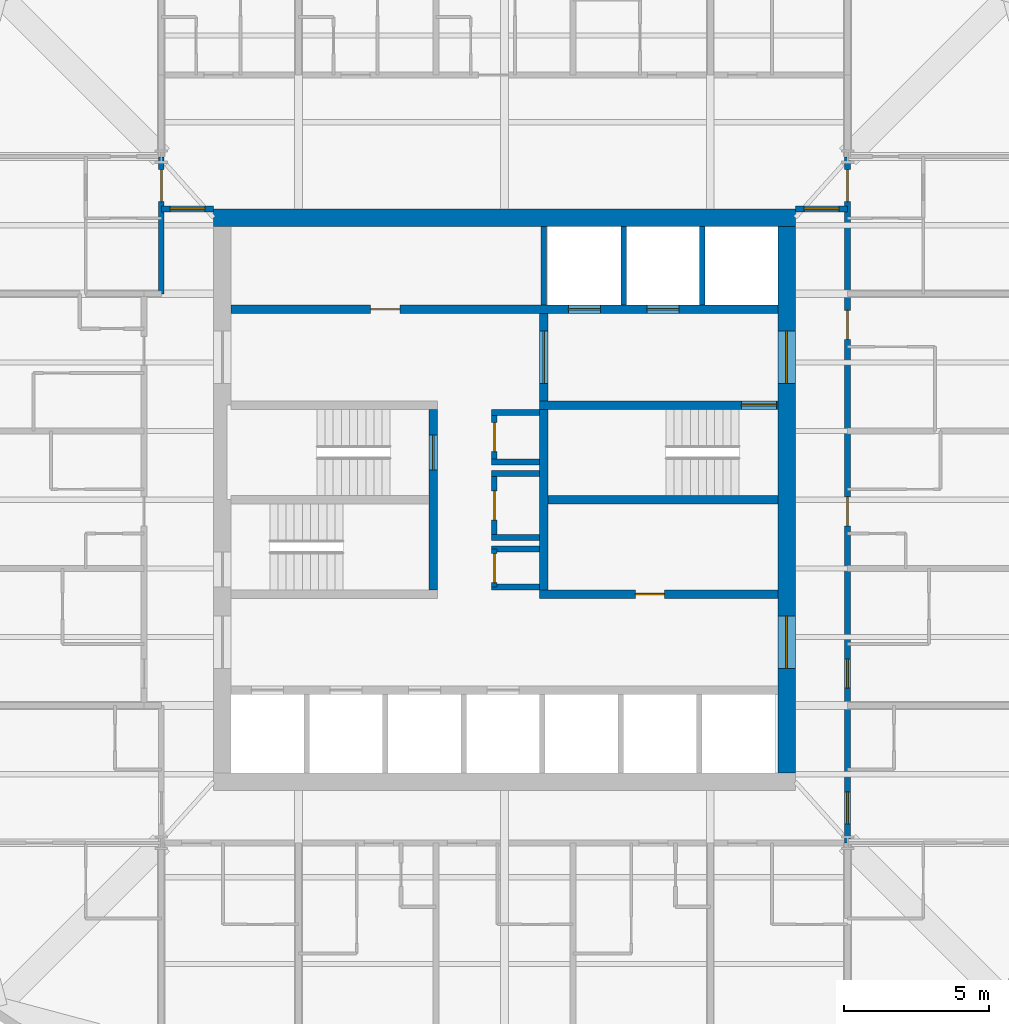
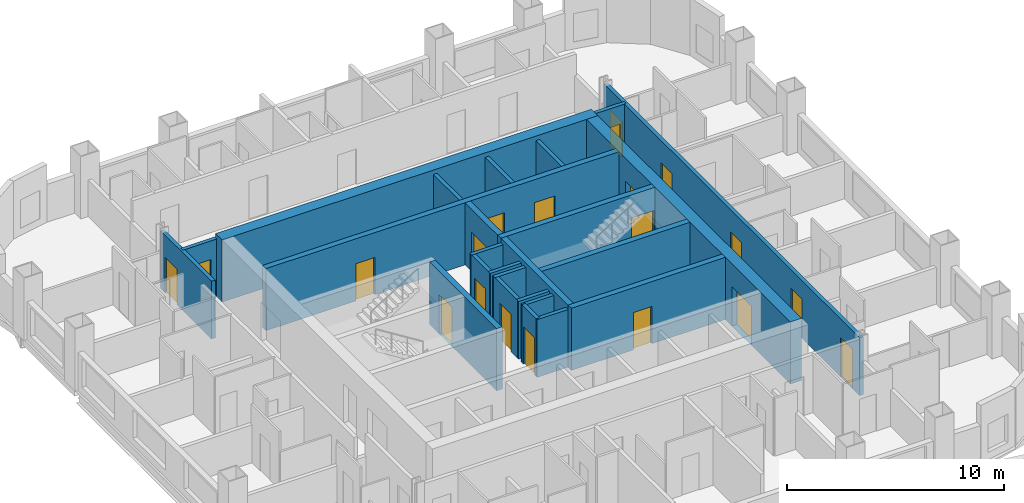
# One storey, part 5 of 9: 24 walls, 20 doors, 20 openings.
"""IFC4 building model written with IfcOpenShell, lengths in metres."""

from ifc_helpers import new_model, si_unit, direction, frame, frame_2d, origin, place, context, subcontext, project, spatial, rectangle, extrude, material, layer, layer_set, type_object, element, fill, save


model = new_model("IFC4")

# Units and contexts
model_context = context("Model", 3, precision=1e-05, world=origin(), true_north=direction((0.0, 1.0)))
body_context = subcontext(model_context, "Body", "Model", "MODEL_VIEW")
ifc_project = project(units=[si_unit("LENGTHUNIT", "METRE"), si_unit("AREAUNIT", "SQUARE_METRE"), si_unit("VOLUMEUNIT", "CUBIC_METRE"), si_unit("PLANEANGLEUNIT", "RADIAN"), si_unit("MASSUNIT", "GRAM", prefix="KILO")], contexts=[model_context])

# Site, building, storey
site_placement = place(None, origin())
site = spatial("IfcSite", under=ifc_project, at=site_placement, CompositionType="ELEMENT")
building_placement = place(site_placement, origin())
building = spatial("IfcBuilding", under=site, at=building_placement, Name="Turquesa Mirador Hotel Tower", CompositionType="ELEMENT")
storey_placement = place(building_placement, frame((0.0, 0.0, 217.800048828125)))
storey = spatial("IfcBuildingStorey", under=building, at=storey_placement, Name="L59", CompositionType="ELEMENT", Elevation=217.800048828125)

# Wall, openings, doors
ifc_material_1 = material(Name="Concrete C50/60", Category="concrete")
ifc_layer_1 = layer(ifc_material_1, 0.300048828125)
ifc_layer_set_1 = layer_set([ifc_layer_1], Name="CORE INNER WALL 300")
wall_type_1 = type_object("IfcWallType", Name="CORE INNER WALL 300", PredefinedType="SHEAR", material=ifc_layer_set_1)
wall_1_placement = place(storey_placement, frame((45.60009765625, 51.550048828125, 0.0), z_axis=(0.0, 0.0, 1.0), x_axis=(1.0, 0.0, 0.0)))
wall_1 = element("IfcWall", 1, at=wall_1_placement, inside=storey, type_object=wall_type_1, Name="Core wall NL", PredefinedType="SHEAR", context=body_context, shape_type="SweptSolid", body=[
    extrude(rectangle(XDim=18.7998046875, YDim=0.300048828125, at=frame_2d((9.39990234375, 0.0))), origin(), (0.0, 0.0, 1.0), 3.5),
])
opening_1_placement = place(wall_1_placement, frame((4.800048828125, 0.0, 0.0)))
opening_1 = element("IfcOpeningElement", 2, at=opening_1_placement, cuts=wall_1, Name="Opening D05", PredefinedType="OPENING", context=body_context, shape_type="SweptSolid", body=[
    extrude(rectangle(XDim=1.0, YDim=2.10009765625, at=frame_2d((0.5, 1.050048828125))), frame((0.0, 0.159912109375, 0.0), z_axis=(0.0, -1.0, 0.0), x_axis=(1.0, 0.0, 0.0)), (0.0, 0.0, 1.0), 0.320068359375),
])
opening_2_placement = place(wall_1_placement, frame((11.60009765625, 0.0, 0.0)))
opening_2 = element("IfcOpeningElement", 3, at=opening_2_placement, cuts=wall_1, Name="Opening LD", PredefinedType="OPENING", context=body_context, shape_type="SweptSolid", body=[
    extrude(rectangle(XDim=1.10009765625, YDim=2.199951171875, at=frame_2d((0.550048828125, 1.10009765625))), frame((0.0, 0.159912109375, 0.0), z_axis=(0.0, -1.0, 0.0), x_axis=(1.0, 0.0, 0.0)), (0.0, 0.0, 1.0), 0.320068359375),
])
opening_3_placement = place(wall_1_placement, frame((14.300048828125, 0.0, 0.0)))
opening_3 = element("IfcOpeningElement", 4, at=opening_3_placement, cuts=wall_1, Name="Opening LD", PredefinedType="OPENING", context=body_context, shape_type="SweptSolid", body=[
    extrude(rectangle(XDim=1.10009765625, YDim=2.199951171875, at=frame_2d((0.550048828125, 1.10009765625))), frame((0.0, 0.159912109375, 0.0), z_axis=(0.0, -1.0, 0.0), x_axis=(1.0, 0.0, 0.0)), (0.0, 0.0, 1.0), 0.320068359375),
])
ifc_material_2 = material(Name="Steel fire door", Category="steel")
door_type_1 = type_object("IfcDoorType", Name="DOOR 1000X2100 SERVICE", OperationType="SINGLE_SWING_LEFT", PredefinedType="DOOR", material=ifc_material_2)
door_1_placement = place(opening_1_placement, origin())
door_1 = element("IfcDoor", 5, at=door_1_placement, inside=storey, type_object=door_type_1, Name="Linen store door", OperationType="SINGLE_SWING_LEFT", OverallHeight=2.10009765625, OverallWidth=1.0, PredefinedType="DOOR", context=body_context, shape_type="SweptSolid", body=[
    extrude(rectangle(XDim=1.0, YDim=2.10009765625, at=frame_2d((0.5, 1.050048828125))), frame((0.0, 0.02490234375, 0.0), z_axis=(0.0, -1.0, 0.0), x_axis=(1.0, 0.0, 0.0)), (0.0, 0.0, 1.0), 0.050048828125),
])
fill(opening_1, door_1)
ifc_material_3 = material(Name="Stainless steel lift landing door", Category="steel")
door_type_2 = type_object("IfcDoorType", Name="LIFT LANDING DOOR 1100X2200", OperationType="SLIDING_TO_LEFT", PredefinedType="DOOR", material=ifc_material_3)
door_2_placement = place(opening_2_placement, origin())
door_2 = element("IfcDoor", 6, at=door_2_placement, inside=storey, type_object=door_type_2, Name="Lift S1 landing door", OperationType="SLIDING_TO_LEFT", OverallHeight=2.199951171875, OverallWidth=1.10009765625, PredefinedType="DOOR", context=body_context, shape_type="SweptSolid", body=[
    extrude(rectangle(XDim=1.10009765625, YDim=2.199951171875, at=frame_2d((0.550048828125, 1.10009765625))), frame((0.0, 0.02490234375, 0.0), z_axis=(0.0, -1.0, 0.0), x_axis=(1.0, 0.0, 0.0)), (0.0, 0.0, 1.0), 0.050048828125),
])
fill(opening_2, door_2)
door_3_placement = place(opening_3_placement, origin())
door_3 = element("IfcDoor", 7, at=door_3_placement, inside=storey, type_object=door_type_2, Name="Lift S2 landing door", OperationType="SLIDING_TO_LEFT", OverallHeight=2.199951171875, OverallWidth=1.10009765625, PredefinedType="DOOR", context=body_context, shape_type="SweptSolid", body=[
    extrude(rectangle(XDim=1.10009765625, YDim=2.199951171875, at=frame_2d((0.550048828125, 1.10009765625))), frame((0.0, 0.02490234375, 0.0), z_axis=(0.0, -1.0, 0.0), x_axis=(1.0, 0.0, 0.0)), (0.0, 0.0, 1.0), 0.050048828125),
])
fill(opening_3, door_3)

# Wall, opening, door
wall_2_placement = place(storey_placement, frame((56.199951171875, 48.25, 0.0), z_axis=(0.0, 0.0, 1.0), x_axis=(1.0, 0.0, 0.0)))
wall_2 = element("IfcWall", 8, at=wall_2_placement, inside=storey, type_object=wall_type_1, Name="Core wall MN-E", PredefinedType="SHEAR", context=body_context, shape_type="SweptSolid", body=[
    extrude(rectangle(XDim=8.199951171875, YDim=0.300048828125, at=frame_2d((4.10009765625, 0.0))), origin(), (0.0, 0.0, 1.0), 3.5),
])
opening_4_placement = place(wall_2_placement, frame((6.949951171875, 0.0, 0.0)))
opening_4 = element("IfcOpeningElement", 9, at=opening_4_placement, cuts=wall_2, Name="Opening D03", PredefinedType="OPENING", context=body_context, shape_type="SweptSolid", body=[
    extrude(rectangle(XDim=1.199951171875, YDim=2.199951171875, at=frame_2d((0.60009765625, 1.10009765625))), frame((0.0, 0.159912109375, 0.0), z_axis=(0.0, -1.0, 0.0), x_axis=(1.0, 0.0, 0.0)), (0.0, 0.0, 1.0), 0.320068359375),
])
ifc_material_4 = material(Name="Steel fire door", Category="steel")
door_type_3 = type_object("IfcDoorType", Name="DOOR 1200X2200 STAIR", OperationType="SINGLE_SWING_LEFT", PredefinedType="DOOR", material=ifc_material_4)
door_4_placement = place(opening_4_placement, origin())
door_4 = element("IfcDoor", 10, at=door_4_placement, inside=storey, type_object=door_type_3, Name="Stair ST3 door", OperationType="SINGLE_SWING_LEFT", OverallHeight=2.199951171875, OverallWidth=1.199951171875, PredefinedType="DOOR", context=body_context, shape_type="SweptSolid", body=[
    extrude(rectangle(XDim=1.199951171875, YDim=2.199951171875, at=frame_2d((0.60009765625, 1.10009765625))), frame((0.0, 0.02490234375, 0.0), z_axis=(0.0, -1.0, 0.0), x_axis=(1.0, 0.0, 0.0)), (0.0, 0.0, 1.0), 0.050048828125),
])
fill(opening_4, door_4)

wall_3_placement = place(storey_placement, frame((56.199951171875, 41.75, 0.0), z_axis=(0.0, 0.0, 1.0), x_axis=(1.0, 0.0, 0.0)))
wall_3 = element("IfcWall", 11, at=wall_3_placement, inside=storey, type_object=wall_type_1, Name="Core wall MS-E", PredefinedType="SHEAR", context=body_context, shape_type="SweptSolid", body=[
    extrude(rectangle(XDim=8.199951171875, YDim=0.300048828125, at=frame_2d((4.10009765625, 0.0))), origin(), (0.0, 0.0, 1.0), 3.5),
])
opening_5_placement = place(wall_3_placement, frame((3.300048828125, 0.0, 0.0)))
opening_5 = element("IfcOpeningElement", 12, at=opening_5_placement, cuts=wall_3, Name="Opening D05", PredefinedType="OPENING", context=body_context, shape_type="SweptSolid", body=[
    extrude(rectangle(XDim=1.0, YDim=2.10009765625, at=frame_2d((0.5, 1.050048828125))), frame((0.0, 0.159912109375, 0.0), z_axis=(0.0, -1.0, 0.0), x_axis=(1.0, 0.0, 0.0)), (0.0, 0.0, 1.0), 0.320068359375),
])
door_5_placement = place(opening_5_placement, origin())
door_5 = element("IfcDoor", 13, at=door_5_placement, inside=storey, type_object=door_type_1, Name="Housekeeping room door", OperationType="SINGLE_SWING_LEFT", OverallHeight=2.10009765625, OverallWidth=1.0, PredefinedType="DOOR", context=body_context, shape_type="SweptSolid", body=[
    extrude(rectangle(XDim=1.0, YDim=2.10009765625, at=frame_2d((0.5, 1.050048828125))), frame((0.0, 0.02490234375, 0.0), z_axis=(0.0, -1.0, 0.0), x_axis=(1.0, 0.0, 0.0)), (0.0, 0.0, 1.0), 0.050048828125),
])
fill(opening_5, door_5)

wall_4_placement = place(storey_placement, frame((52.550048828125, 41.89990234375, 0.0), z_axis=(0.0, 0.0, 1.0), x_axis=(0.0, 1.0, 0.0)))
wall_4 = element("IfcWall", 14, at=wall_4_placement, inside=storey, type_object=wall_type_1, Name="Core wall PW", PredefinedType="SHEAR", context=body_context, shape_type="SweptSolid", body=[
    extrude(rectangle(XDim=6.2001953125, YDim=0.300048828125, at=frame_2d((3.10009765625, 0.0))), origin(), (0.0, 0.0, 1.0), 3.5),
])
opening_6_placement = place(wall_4_placement, frame((4.125, 0.0, 0.0)))
opening_6 = element("IfcOpeningElement", 15, at=opening_6_placement, cuts=wall_4, Name="Opening D03", PredefinedType="OPENING", context=body_context, shape_type="SweptSolid", body=[
    extrude(rectangle(XDim=1.199951171875, YDim=2.199951171875, at=frame_2d((0.60009765625, 1.10009765625))), frame((0.0, 0.159912109375, 0.0), z_axis=(0.0, -1.0, 0.0), x_axis=(1.0, 0.0, 0.0)), (0.0, 0.0, 1.0), 0.320068359375),
])
door_6_placement = place(opening_6_placement, origin())
door_6 = element("IfcDoor", 16, at=door_6_placement, inside=storey, type_object=door_type_3, Name="Stair ST1 door", OperationType="SINGLE_SWING_LEFT", OverallHeight=2.199951171875, OverallWidth=1.199951171875, PredefinedType="DOOR", context=body_context, shape_type="SweptSolid", body=[
    extrude(rectangle(XDim=1.199951171875, YDim=2.199951171875, at=frame_2d((0.60009765625, 1.10009765625))), frame((0.0, 0.02490234375, 0.0), z_axis=(0.0, -1.0, 0.0), x_axis=(1.0, 0.0, 0.0)), (0.0, 0.0, 1.0), 0.050048828125),
])
fill(opening_6, door_6)

wall_5_placement = place(storey_placement, frame((56.35009765625, 41.89990234375, 0.0), z_axis=(0.0, 0.0, 1.0), x_axis=(0.0, 1.0, 0.0)))
wall_5 = element("IfcWall", 17, at=wall_5_placement, inside=storey, type_object=wall_type_1, Name="Core wall PE", PredefinedType="SHEAR", context=body_context, shape_type="SweptSolid", body=[
    extrude(rectangle(XDim=9.5, YDim=0.300048828125, at=frame_2d((4.75, 0.0))), origin(), (0.0, 0.0, 1.0), 3.5),
])
opening_7_placement = place(wall_5_placement, frame((7.10009765625, 0.0, 0.0)))
opening_7 = element("IfcOpeningElement", 18, at=opening_7_placement, cuts=wall_5, Name="Opening D04", PredefinedType="OPENING", context=body_context, shape_type="SweptSolid", body=[
    extrude(rectangle(XDim=1.800048828125, YDim=2.199951171875, at=frame_2d((0.89990234375, 1.10009765625))), frame((0.0, 0.159912109375, 0.0), z_axis=(0.0, -1.0, 0.0), x_axis=(1.0, 0.0, 0.0)), (0.0, 0.0, 1.0), 0.320068359375),
])
ifc_material_5 = material(Name="Steel fire door pair", Category="steel")
door_type_4 = type_object("IfcDoorType", Name="DOOR 1800X2200 PAIR", OperationType="DOUBLE_DOOR_SINGLE_SWING", PredefinedType="DOOR", material=ifc_material_5)
door_7_placement = place(opening_7_placement, origin())
door_7 = element("IfcDoor", 19, at=door_7_placement, inside=storey, type_object=door_type_4, Name="Firefighting lobby inner door", OperationType="DOUBLE_DOOR_SINGLE_SWING", OverallHeight=2.199951171875, OverallWidth=1.800048828125, PredefinedType="DOOR", context=body_context, shape_type="SweptSolid", body=[
    extrude(rectangle(XDim=1.800048828125, YDim=2.199951171875, at=frame_2d((0.89990234375, 1.10009765625))), frame((0.0, 0.02490234375, 0.0), z_axis=(0.0, -1.0, 0.0), x_axis=(1.0, 0.0, 0.0)), (0.0, 0.0, 1.0), 0.050048828125),
])
fill(opening_7, door_7)

# Walls
wall_6_placement = place(storey_placement, frame((56.5, 45.0, 0.0), z_axis=(0.0, 0.0, 1.0), x_axis=(1.0, 0.0, 0.0)))
element("IfcWall", 20, at=wall_6_placement, inside=storey, type_object=wall_type_1, Name="Core wall M0-E", PredefinedType="SHEAR", context=body_context, shape_type="SweptSolid", body=[
    extrude(rectangle(XDim=7.89990234375, YDim=0.300048828125, at=frame_2d((3.949951171875, 0.0))), origin(), (0.0, 0.0, 1.0), 3.5),
])
ifc_material_6 = material(Name="Concrete C50/60", Category="concrete")
ifc_layer_2 = layer(ifc_material_6, 0.60009765625)
ifc_layer_set_2 = layer_set([ifc_layer_2], Name="CORE WALL 600")
wall_type_2 = type_object("IfcWallType", Name="CORE WALL 600", PredefinedType="SHEAR", material=ifc_layer_set_2)
wall_7_placement = place(storey_placement, frame((45.0, 54.699951171875, 0.0), z_axis=(0.0, 0.0, 1.0), x_axis=(1.0, 0.0, 0.0)))
element("IfcWall", 21, at=wall_7_placement, inside=storey, type_object=wall_type_2, Name="Core wall N", PredefinedType="SHEAR", context=body_context, shape_type="SweptSolid", body=[
    extrude(rectangle(XDim=20.0, YDim=0.60009765625, at=frame_2d((10.0, 0.0))), origin(), (0.0, 0.0, 1.0), 3.5),
])

# Wall, openings, doors
wall_8_placement = place(storey_placement, frame((64.699951171875, 35.60009765625, 0.0), z_axis=(0.0, 0.0, 1.0), x_axis=(0.0, 1.0, 0.0)))
wall_8 = element("IfcWall", 22, at=wall_8_placement, inside=storey, type_object=wall_type_2, Name="Core wall E", PredefinedType="SHEAR", context=body_context, shape_type="SweptSolid", body=[
    extrude(rectangle(XDim=18.7998046875, YDim=0.60009765625, at=frame_2d((9.39990234375, 0.0))), origin(), (0.0, 0.0, 1.0), 3.5),
])
opening_8_placement = place(wall_8_placement, frame((13.39990234375, 0.0, 0.0)))
opening_8 = element("IfcOpeningElement", 23, at=opening_8_placement, cuts=wall_8, Name="Opening D04", PredefinedType="OPENING", context=body_context, shape_type="SweptSolid", body=[
    extrude(rectangle(XDim=1.800048828125, YDim=2.199951171875, at=frame_2d((0.89990234375, 1.10009765625))), frame((0.0, 0.31005859375, 0.0), z_axis=(0.0, -1.0, 0.0), x_axis=(1.0, 0.0, 0.0)), (0.0, 0.0, 1.0), 0.6201171875),
])
opening_9_placement = place(wall_8_placement, frame((3.60009765625, 0.0, 0.0)))
opening_9 = element("IfcOpeningElement", 24, at=opening_9_placement, cuts=wall_8, Name="Opening D04", PredefinedType="OPENING", context=body_context, shape_type="SweptSolid", body=[
    extrude(rectangle(XDim=1.800048828125, YDim=2.199951171875, at=frame_2d((0.89990234375, 1.10009765625))), frame((0.0, 0.31005859375, 0.0), z_axis=(0.0, -1.0, 0.0), x_axis=(1.0, 0.0, 0.0)), (0.0, 0.0, 1.0), 0.6201171875),
])
door_8_placement = place(opening_8_placement, origin())
door_8 = element("IfcDoor", 25, at=door_8_placement, inside=storey, type_object=door_type_4, Name="Firefighting lobby door", OperationType="DOUBLE_DOOR_SINGLE_SWING", OverallHeight=2.199951171875, OverallWidth=1.800048828125, PredefinedType="DOOR", context=body_context, shape_type="SweptSolid", body=[
    extrude(rectangle(XDim=1.800048828125, YDim=2.199951171875, at=frame_2d((0.89990234375, 1.10009765625))), frame((0.0, 0.02490234375, 0.0), z_axis=(0.0, -1.0, 0.0), x_axis=(1.0, 0.0, 0.0)), (0.0, 0.0, 1.0), 0.050048828125),
])
fill(opening_8, door_8)
door_9_placement = place(opening_9_placement, origin())
door_9 = element("IfcDoor", 26, at=door_9_placement, inside=storey, type_object=door_type_4, Name="South lift lobby door", OperationType="DOUBLE_DOOR_SINGLE_SWING", OverallHeight=2.199951171875, OverallWidth=1.800048828125, PredefinedType="DOOR", context=body_context, shape_type="SweptSolid", body=[
    extrude(rectangle(XDim=1.800048828125, YDim=2.199951171875, at=frame_2d((0.89990234375, 1.10009765625))), frame((0.0, 0.02490234375, 0.0), z_axis=(0.0, -1.0, 0.0), x_axis=(1.0, 0.0, 0.0)), (0.0, 0.0, 1.0), 0.050048828125),
])
fill(opening_9, door_9)

# Wall, opening, door
ifc_material_7 = material(Name="Fire-rated gypsum board on steel studs", Category="steel")
ifc_layer_3 = layer(ifc_material_7, 0.199951171875)
ifc_layer_set_3 = layer_set([ifc_layer_3], Name="CORRIDOR WALL 200")
wall_type_3 = type_object("IfcWallType", Name="CORRIDOR WALL 200", PredefinedType="PARTITIONING", material=ifc_layer_set_3)
wall_9_placement = place(storey_placement, frame((43.199951171875, 55.0, 0.0), z_axis=(0.0, 0.0, 1.0), x_axis=(1.0, 0.0, 0.0)))
wall_9 = element("IfcWall", 27, at=wall_9_placement, inside=storey, type_object=wall_type_3, Name="Partition L59 028", PredefinedType="PARTITIONING", context=body_context, shape_type="SweptSolid", body=[
    extrude(rectangle(XDim=1.800048828125, YDim=0.199951171875, at=frame_2d((0.89990234375, 0.0))), origin(), (0.0, 0.0, 1.0), 3.25),
])
opening_10_placement = place(wall_9_placement, frame((0.300048828125, 0.0, 0.0)))
opening_10 = element("IfcOpeningElement", 28, at=opening_10_placement, cuts=wall_9, Name="Opening D19", PredefinedType="OPENING", context=body_context, shape_type="SweptSolid", body=[
    extrude(rectangle(XDim=1.199951171875, YDim=2.199951171875, at=frame_2d((0.60009765625, 1.10009765625))), frame((0.0, 0.10986328125, 0.0), z_axis=(0.0, -1.0, 0.0), x_axis=(1.0, 0.0, 0.0)), (0.0, 0.0, 1.0), 0.219970703125),
])
ifc_material_8 = material(Name="Steel glazed fire door", Category="steel")
door_type_5 = type_object("IfcDoorType", Name="DOOR 1200X2200 FIRE DOOR GLAZED", OperationType="SINGLE_SWING_LEFT", PredefinedType="DOOR", material=ifc_material_8)
door_10_placement = place(opening_10_placement, origin())
door_10 = element("IfcDoor", 29, at=door_10_placement, inside=storey, type_object=door_type_5, Name="Door L59-C03", OperationType="SINGLE_SWING_LEFT", OverallHeight=2.199951171875, OverallWidth=1.199951171875, PredefinedType="DOOR", context=body_context, shape_type="SweptSolid", body=[
    extrude(rectangle(XDim=1.199951171875, YDim=2.199951171875, at=frame_2d((0.60009765625, 1.10009765625))), frame((0.0, 0.02490234375, 0.0), z_axis=(0.0, -1.0, 0.0), x_axis=(1.0, 0.0, 0.0)), (0.0, 0.0, 1.0), 0.050048828125),
])
fill(opening_10, door_10)

wall_10_placement = place(storey_placement, frame((65.0, 55.0, 0.0), z_axis=(0.0, 0.0, 1.0), x_axis=(1.0, 0.0, 0.0)))
wall_10 = element("IfcWall", 30, at=wall_10_placement, inside=storey, type_object=wall_type_3, Name="Partition L59 029", PredefinedType="PARTITIONING", context=body_context, shape_type="SweptSolid", body=[
    extrude(rectangle(XDim=1.800048828125, YDim=0.199951171875, at=frame_2d((0.89990234375, 0.0))), origin(), (0.0, 0.0, 1.0), 3.25),
])
opening_11_placement = place(wall_10_placement, frame((0.300048828125, 0.0, 0.0)))
opening_11 = element("IfcOpeningElement", 31, at=opening_11_placement, cuts=wall_10, Name="Opening D19", PredefinedType="OPENING", context=body_context, shape_type="SweptSolid", body=[
    extrude(rectangle(XDim=1.199951171875, YDim=2.199951171875, at=frame_2d((0.60009765625, 1.10009765625))), frame((0.0, 0.10986328125, 0.0), z_axis=(0.0, -1.0, 0.0), x_axis=(1.0, 0.0, 0.0)), (0.0, 0.0, 1.0), 0.219970703125),
])
door_11_placement = place(opening_11_placement, origin())
door_11 = element("IfcDoor", 32, at=door_11_placement, inside=storey, type_object=door_type_5, Name="Door L59-C03-1", OperationType="SINGLE_SWING_LEFT", OverallHeight=2.199951171875, OverallWidth=1.199951171875, PredefinedType="DOOR", context=body_context, shape_type="SweptSolid", body=[
    extrude(rectangle(XDim=1.199951171875, YDim=2.199951171875, at=frame_2d((0.60009765625, 1.10009765625))), frame((0.0, 0.02490234375, 0.0), z_axis=(0.0, -1.0, 0.0), x_axis=(1.0, 0.0, 0.0)), (0.0, 0.0, 1.0), 0.050048828125),
])
fill(opening_11, door_11)

wall_11_placement = place(storey_placement, frame((43.199951171875, 52.080078125, 0.0), z_axis=(0.0, 0.0, 1.0), x_axis=(0.0, 1.0, 0.0)))
wall_11 = element("IfcWall", 33, at=wall_11_placement, inside=storey, type_object=wall_type_3, Name="Partition L59 057", PredefinedType="PARTITIONING", context=body_context, shape_type="SweptSolid", body=[
    extrude(rectangle(XDim=4.699951171875, YDim=0.199951171875, at=frame_2d((2.35009765625, 0.0))), origin(), (0.0, 0.0, 1.0), 3.25),
])
opening_12_placement = place(wall_11_placement, frame((3.169921875, 0.0, 0.0)))
opening_12 = element("IfcOpeningElement", 34, at=opening_12_placement, cuts=wall_11, Name="Opening D23", PredefinedType="OPENING", context=body_context, shape_type="SweptSolid", body=[
    extrude(rectangle(XDim=1.10009765625, YDim=2.0, at=frame_2d((0.550048828125, 1.0))), frame((0.0, 0.10986328125, 0.0), z_axis=(0.0, -1.0, 0.0), x_axis=(1.0, 0.0, 0.0)), (0.0, 0.0, 1.0), 0.219970703125),
])
ifc_material_9 = material(Name="Timber veneered fire door", Category="wood")
door_type_6 = type_object("IfcDoorType", Name="DOOR 1100X2000 SUITE ENTRY", OperationType="SINGLE_SWING_LEFT", PredefinedType="DOOR", material=ifc_material_9)
door_12_placement = place(opening_12_placement, origin())
door_12 = element("IfcDoor", 35, at=door_12_placement, inside=storey, type_object=door_type_6, Name="Door 5918H", OperationType="SINGLE_SWING_LEFT", OverallHeight=2.0, OverallWidth=1.10009765625, PredefinedType="DOOR", context=body_context, shape_type="SweptSolid", body=[
    extrude(rectangle(XDim=1.10009765625, YDim=2.0, at=frame_2d((0.550048828125, 1.0))), frame((0.0, 0.02490234375, 0.0), z_axis=(0.0, -1.0, 0.0), x_axis=(1.0, 0.0, 0.0)), (0.0, 0.0, 1.0), 0.050048828125),
])
fill(opening_12, door_12)

# Wall, openings, doors
wall_12_placement = place(storey_placement, frame((66.800048828125, 33.199951171875, 0.0), z_axis=(0.0, 0.0, 1.0), x_axis=(0.0, 1.0, 0.0)))
wall_12 = element("IfcWall", 36, at=wall_12_placement, inside=storey, type_object=wall_type_3, Name="Partition L59 081", PredefinedType="PARTITIONING", context=body_context, shape_type="SweptSolid", body=[
    extrude(rectangle(XDim=23.580078125, YDim=0.199951171875, at=frame_2d((11.7900390625, 0.0))), origin(), (0.0, 0.0, 1.0), 3.25),
])
opening_13_placement = place(wall_12_placement, frame((5.320068359375, 0.0, 0.0)))
opening_13 = element("IfcOpeningElement", 37, at=opening_13_placement, cuts=wall_12, Name="Opening D01", PredefinedType="OPENING", context=body_context, shape_type="SweptSolid", body=[
    extrude(rectangle(XDim=1.0, YDim=2.199951171875, at=frame_2d((0.5, 1.10009765625))), frame((0.0, 0.10986328125, 0.0), z_axis=(0.0, -1.0, 0.0), x_axis=(1.0, 0.0, 0.0)), (0.0, 0.0, 1.0), 0.219970703125),
])
opening_14_placement = place(wall_12_placement, frame((10.89990234375, 0.0, 0.0)))
opening_14 = element("IfcOpeningElement", 38, at=opening_14_placement, cuts=wall_12, Name="Opening D22", PredefinedType="OPENING", context=body_context, shape_type="SweptSolid", body=[
    extrude(rectangle(XDim=1.0, YDim=2.0, at=frame_2d((0.5, 1.0))), frame((0.0, 0.10986328125, 0.0), z_axis=(0.0, -1.0, 0.0), x_axis=(1.0, 0.0, 0.0)), (0.0, 0.0, 1.0), 0.219970703125),
])
opening_15_placement = place(wall_12_placement, frame((17.31005859375, 0.0, 0.0)))
opening_15 = element("IfcOpeningElement", 39, at=opening_15_placement, cuts=wall_12, Name="Opening D22", PredefinedType="OPENING", context=body_context, shape_type="SweptSolid", body=[
    extrude(rectangle(XDim=1.0, YDim=2.0, at=frame_2d((0.5, 1.0))), frame((0.0, 0.10986328125, 0.0), z_axis=(0.0, -1.0, 0.0), x_axis=(1.0, 0.0, 0.0)), (0.0, 0.0, 1.0), 0.219970703125),
])
opening_16_placement = place(wall_12_placement, frame((22.050048828125, 0.0, 0.0)))
opening_16 = element("IfcOpeningElement", 40, at=opening_16_placement, cuts=wall_12, Name="Opening D23", PredefinedType="OPENING", context=body_context, shape_type="SweptSolid", body=[
    extrude(rectangle(XDim=1.10009765625, YDim=2.0, at=frame_2d((0.550048828125, 1.0))), frame((0.0, 0.10986328125, 0.0), z_axis=(0.0, -1.0, 0.0), x_axis=(1.0, 0.0, 0.0)), (0.0, 0.0, 1.0), 0.219970703125),
])
opening_17_placement = place(wall_12_placement, frame((0.64990234375, 0.0, 0.0)))
opening_17 = element("IfcOpeningElement", 41, at=opening_17_placement, cuts=wall_12, Name="Opening D15", PredefinedType="OPENING", context=body_context, shape_type="SweptSolid", body=[
    extrude(rectangle(XDim=1.10009765625, YDim=2.199951171875, at=frame_2d((0.550048828125, 1.10009765625))), frame((0.0, 0.10986328125, 0.0), z_axis=(0.0, -1.0, 0.0), x_axis=(1.0, 0.0, 0.0)), (0.0, 0.0, 1.0), 0.219970703125),
])
ifc_material_10 = material(Name="Timber veneered fire door", Category="wood")
door_type_7 = type_object("IfcDoorType", Name="DOOR 1000X2000 GUEST ENTRY", OperationType="SINGLE_SWING_LEFT", PredefinedType="DOOR", material=ifc_material_10)
door_13_placement = place(opening_14_placement, origin())
door_13 = element("IfcDoor", 42, at=door_13_placement, inside=storey, type_object=door_type_7, Name="Door 5912", OperationType="SINGLE_SWING_LEFT", OverallHeight=2.0, OverallWidth=1.0, PredefinedType="DOOR", context=body_context, shape_type="SweptSolid", body=[
    extrude(rectangle(XDim=1.0, YDim=2.0, at=frame_2d((0.5, 1.0))), frame((0.0, 0.02490234375, 0.0), z_axis=(0.0, -1.0, 0.0), x_axis=(1.0, 0.0, 0.0)), (0.0, 0.0, 1.0), 0.050048828125),
])
fill(opening_14, door_13)
door_14_placement = place(opening_15_placement, origin())
door_14 = element("IfcDoor", 43, at=door_14_placement, inside=storey, type_object=door_type_7, Name="Door 5913", OperationType="SINGLE_SWING_LEFT", OverallHeight=2.0, OverallWidth=1.0, PredefinedType="DOOR", context=body_context, shape_type="SweptSolid", body=[
    extrude(rectangle(XDim=1.0, YDim=2.0, at=frame_2d((0.5, 1.0))), frame((0.0, 0.02490234375, 0.0), z_axis=(0.0, -1.0, 0.0), x_axis=(1.0, 0.0, 0.0)), (0.0, 0.0, 1.0), 0.050048828125),
])
fill(opening_15, door_14)
ifc_material_11 = material(Name="Timber veneered fire door", Category="wood")
door_type_8 = type_object("IfcDoorType", Name="DOOR 1000X2200 GUEST ENTRY", OperationType="SINGLE_SWING_LEFT", PredefinedType="DOOR", material=ifc_material_11)
door_15_placement = place(opening_13_placement, origin())
door_15 = element("IfcDoor", 44, at=door_15_placement, inside=storey, type_object=door_type_8, Name="Door 5911", OperationType="SINGLE_SWING_LEFT", OverallHeight=2.199951171875, OverallWidth=1.0, PredefinedType="DOOR", context=body_context, shape_type="SweptSolid", body=[
    extrude(rectangle(XDim=1.0, YDim=2.199951171875, at=frame_2d((0.5, 1.10009765625))), frame((0.0, 0.02490234375, 0.0), z_axis=(0.0, -1.0, 0.0), x_axis=(1.0, 0.0, 0.0)), (0.0, 0.0, 1.0), 0.050048828125),
])
fill(opening_13, door_15)
door_16_placement = place(opening_16_placement, origin())
door_16 = element("IfcDoor", 45, at=door_16_placement, inside=storey, type_object=door_type_6, Name="Door 5917H", OperationType="SINGLE_SWING_LEFT", OverallHeight=2.0, OverallWidth=1.10009765625, PredefinedType="DOOR", context=body_context, shape_type="SweptSolid", body=[
    extrude(rectangle(XDim=1.10009765625, YDim=2.0, at=frame_2d((0.550048828125, 1.0))), frame((0.0, 0.02490234375, 0.0), z_axis=(0.0, -1.0, 0.0), x_axis=(1.0, 0.0, 0.0)), (0.0, 0.0, 1.0), 0.050048828125),
])
fill(opening_16, door_16)
ifc_material_12 = material(Name="Timber veneered fire door", Category="wood")
door_type_9 = type_object("IfcDoorType", Name="DOOR 1100X2200 SUITE ENTRY", OperationType="SINGLE_SWING_LEFT", PredefinedType="DOOR", material=ifc_material_12)
door_17_placement = place(opening_17_placement, origin())
door_17 = element("IfcDoor", 46, at=door_17_placement, inside=storey, type_object=door_type_9, Name="Door 5920", OperationType="SINGLE_SWING_LEFT", OverallHeight=2.199951171875, OverallWidth=1.10009765625, PredefinedType="DOOR", context=body_context, shape_type="SweptSolid", body=[
    extrude(rectangle(XDim=1.10009765625, YDim=2.199951171875, at=frame_2d((0.550048828125, 1.10009765625))), frame((0.0, 0.02490234375, 0.0), z_axis=(0.0, -1.0, 0.0), x_axis=(1.0, 0.0, 0.0)), (0.0, 0.0, 1.0), 0.050048828125),
])
fill(opening_17, door_17)

# Wall, opening, door
ifc_material_13 = material(Name="Fire-rated gypsum board on steel studs", Category="steel")
ifc_layer_4 = layer(ifc_material_13, 0.199951171875)
ifc_layer_set_4 = layer_set([ifc_layer_4], Name="FIRE PARTITION 200")
wall_type_4 = type_object("IfcWallType", Name="FIRE PARTITION 200", PredefinedType="PARTITIONING", material=ifc_layer_set_4)
wall_13_placement = place(storey_placement, frame((54.64990234375, 42.0, 0.0), z_axis=(0.0, 0.0, 1.0), x_axis=(0.0, 1.0, 0.0)))
wall_13 = element("IfcWall", 47, at=wall_13_placement, inside=storey, type_object=wall_type_4, Name="Partition L59 CM W", PredefinedType="PARTITIONING", context=body_context, shape_type="SweptSolid", body=[
    extrude(rectangle(XDim=1.300048828125, YDim=0.199951171875, at=frame_2d((0.64990234375, 0.0))), origin(), (0.0, 0.0, 1.0), 3.25),
])
opening_18_placement = place(wall_13_placement, frame((0.14990234375, 0.0, 0.0)))
opening_18 = element("IfcOpeningElement", 48, at=opening_18_placement, cuts=wall_13, Name="Opening D05", PredefinedType="OPENING", context=body_context, shape_type="SweptSolid", body=[
    extrude(rectangle(XDim=1.0, YDim=2.10009765625, at=frame_2d((0.5, 1.050048828125))), frame((0.0, 0.10986328125, 0.0), z_axis=(0.0, -1.0, 0.0), x_axis=(1.0, 0.0, 0.0)), (0.0, 0.0, 1.0), 0.219970703125),
])
door_18_placement = place(opening_18_placement, origin())
door_18 = element("IfcDoor", 49, at=door_18_placement, inside=storey, type_object=door_type_1, Name="Comms room door", OperationType="SINGLE_SWING_LEFT", OverallHeight=2.10009765625, OverallWidth=1.0, PredefinedType="DOOR", context=body_context, shape_type="SweptSolid", body=[
    extrude(rectangle(XDim=1.0, YDim=2.10009765625, at=frame_2d((0.5, 1.050048828125))), frame((0.0, 0.02490234375, 0.0), z_axis=(0.0, -1.0, 0.0), x_axis=(1.0, 0.0, 0.0)), (0.0, 0.0, 1.0), 0.050048828125),
])
fill(opening_18, door_18)

# Walls
for number, where, z_axis, x_axis, name in (
    (50, (54.550048828125, 42.0, 0.0), (0.0, 0.0, 1.0), (1.0, 0.0, 0.0), "Partition L59 CM S"),
    (51, (54.550048828125, 43.300048828125, 0.0), (0.0, 0.0, 1.0), (1.0, 0.0, 0.0), "Partition L59 CM N"),
):
    element("IfcWall", number, at=place(storey_placement, frame(where, z_axis=z_axis, x_axis=x_axis)), inside=storey, type_object=wall_type_4, Name=name, PredefinedType="PARTITIONING", context=body_context, shape_type="SweptSolid", body=[
        extrude(rectangle(XDim=1.64990234375, YDim=0.199951171875, at=frame_2d((0.824951171875, 0.0))), origin(), (0.0, 0.0, 1.0), 3.25),
    ])

# Wall, opening, door
wall_14_placement = place(storey_placement, frame((54.64990234375, 43.699951171875, 0.0), z_axis=(0.0, 0.0, 1.0), x_axis=(0.0, 1.0, 0.0)))
wall_14 = element("IfcWall", 52, at=wall_14_placement, inside=storey, type_object=wall_type_4, Name="Partition L59 VD W", PredefinedType="PARTITIONING", context=body_context, shape_type="SweptSolid", body=[
    extrude(rectangle(XDim=2.199951171875, YDim=0.199951171875, at=frame_2d((1.10009765625, 0.0))), origin(), (0.0, 0.0, 1.0), 3.25),
])
opening_19_placement = place(wall_14_placement, frame((0.60009765625, 0.0, 0.0)))
opening_19 = element("IfcOpeningElement", 53, at=opening_19_placement, cuts=wall_14, Name="Opening D05", PredefinedType="OPENING", context=body_context, shape_type="SweptSolid", body=[
    extrude(rectangle(XDim=1.0, YDim=2.10009765625, at=frame_2d((0.5, 1.050048828125))), frame((0.0, 0.10986328125, 0.0), z_axis=(0.0, -1.0, 0.0), x_axis=(1.0, 0.0, 0.0)), (0.0, 0.0, 1.0), 0.219970703125),
])
door_19_placement = place(opening_19_placement, origin())
door_19 = element("IfcDoor", 54, at=door_19_placement, inside=storey, type_object=door_type_1, Name="Ice and vending room door", OperationType="SINGLE_SWING_LEFT", OverallHeight=2.10009765625, OverallWidth=1.0, PredefinedType="DOOR", context=body_context, shape_type="SweptSolid", body=[
    extrude(rectangle(XDim=1.0, YDim=2.10009765625, at=frame_2d((0.5, 1.050048828125))), frame((0.0, 0.02490234375, 0.0), z_axis=(0.0, -1.0, 0.0), x_axis=(1.0, 0.0, 0.0)), (0.0, 0.0, 1.0), 0.050048828125),
])
fill(opening_19, door_19)

# Walls
for number, where, z_axis, x_axis, name in (
    (55, (54.550048828125, 43.699951171875, 0.0), (0.0, 0.0, 1.0), (1.0, 0.0, 0.0), "Partition L59 VD S"),
    (56, (54.550048828125, 45.89990234375, 0.0), (0.0, 0.0, 1.0), (1.0, 0.0, 0.0), "Partition L59 VD N"),
):
    element("IfcWall", number, at=place(storey_placement, frame(where, z_axis=z_axis, x_axis=x_axis)), inside=storey, type_object=wall_type_4, Name=name, PredefinedType="PARTITIONING", context=body_context, shape_type="SweptSolid", body=[
        extrude(rectangle(XDim=1.64990234375, YDim=0.199951171875, at=frame_2d((0.824951171875, 0.0))), origin(), (0.0, 0.0, 1.0), 3.25),
    ])

# Wall, opening, door
wall_15_placement = place(storey_placement, frame((54.64990234375, 46.300048828125, 0.0), z_axis=(0.0, 0.0, 1.0), x_axis=(0.0, 1.0, 0.0)))
wall_15 = element("IfcWall", 57, at=wall_15_placement, inside=storey, type_object=wall_type_4, Name="Partition L59 CL W", PredefinedType="PARTITIONING", context=body_context, shape_type="SweptSolid", body=[
    extrude(rectangle(XDim=1.699951171875, YDim=0.199951171875, at=frame_2d((0.85009765625, 0.0))), origin(), (0.0, 0.0, 1.0), 3.25),
])
opening_20_placement = place(wall_15_placement, frame((0.35009765625, 0.0, 0.0)))
opening_20 = element("IfcOpeningElement", 58, at=opening_20_placement, cuts=wall_15, Name="Opening D05", PredefinedType="OPENING", context=body_context, shape_type="SweptSolid", body=[
    extrude(rectangle(XDim=1.0, YDim=2.10009765625, at=frame_2d((0.5, 1.050048828125))), frame((0.0, 0.10986328125, 0.0), z_axis=(0.0, -1.0, 0.0), x_axis=(1.0, 0.0, 0.0)), (0.0, 0.0, 1.0), 0.219970703125),
])
door_20_placement = place(opening_20_placement, origin())
door_20 = element("IfcDoor", 59, at=door_20_placement, inside=storey, type_object=door_type_1, Name="Cleaner's cupboard door", OperationType="SINGLE_SWING_LEFT", OverallHeight=2.10009765625, OverallWidth=1.0, PredefinedType="DOOR", context=body_context, shape_type="SweptSolid", body=[
    extrude(rectangle(XDim=1.0, YDim=2.10009765625, at=frame_2d((0.5, 1.050048828125))), frame((0.0, 0.02490234375, 0.0), z_axis=(0.0, -1.0, 0.0), x_axis=(1.0, 0.0, 0.0)), (0.0, 0.0, 1.0), 0.050048828125),
])
fill(opening_20, door_20)

# Walls
for number, where, z_axis, x_axis, name in (
    (60, (54.550048828125, 46.300048828125, 0.0), (0.0, 0.0, 1.0), (1.0, 0.0, 0.0), "Partition L59 CL S"),
    (61, (54.550048828125, 48.0, 0.0), (0.0, 0.0, 1.0), (1.0, 0.0, 0.0), "Partition L59 CL N"),
):
    element("IfcWall", number, at=place(storey_placement, frame(where, z_axis=z_axis, x_axis=x_axis)), inside=storey, type_object=wall_type_4, Name=name, PredefinedType="PARTITIONING", context=body_context, shape_type="SweptSolid", body=[
        extrude(rectangle(XDim=1.64990234375, YDim=0.199951171875, at=frame_2d((0.824951171875, 0.0))), origin(), (0.0, 0.0, 1.0), 3.25),
    ])
ifc_material_14 = material(Name="Fire-rated gypsum shaft wall on steel studs", Category="steel")
ifc_layer_5 = layer(ifc_material_14, 0.199951171875)
ifc_layer_set_5 = layer_set([ifc_layer_5], Name="LIFT SHAFT DIVIDER 200")
wall_type_5 = type_object("IfcWallType", Name="LIFT SHAFT DIVIDER 200", PredefinedType="PARTITIONING", material=ifc_layer_set_5)
for number, where, z_axis, x_axis, name in (
    (62, (59.10009765625, 51.699951171875, 0.0), (0.0, 0.0, 1.0), (0.0, 1.0, 0.0), "Lift shaft divider"),
    (63, (61.800048828125, 51.699951171875, 0.0), (0.0, 0.0, 1.0), (0.0, 1.0, 0.0), "Lift shaft divider"),
    (64, (56.35009765625, 51.699951171875, 0.0), (0.0, 0.0, 1.0), (0.0, 1.0, 0.0), "Lift shaft divider"),
):
    element("IfcWall", number, at=place(storey_placement, frame(where, z_axis=z_axis, x_axis=x_axis)), inside=storey, type_object=wall_type_5, Name=name, PredefinedType="PARTITIONING", context=body_context, shape_type="SweptSolid", body=[
        extrude(rectangle(XDim=2.699951171875, YDim=0.199951171875, at=frame_2d((1.35009765625, 0.0))), origin(), (0.0, 0.0, 1.0), 3.25),
    ])

save(model, "model.ifc")
